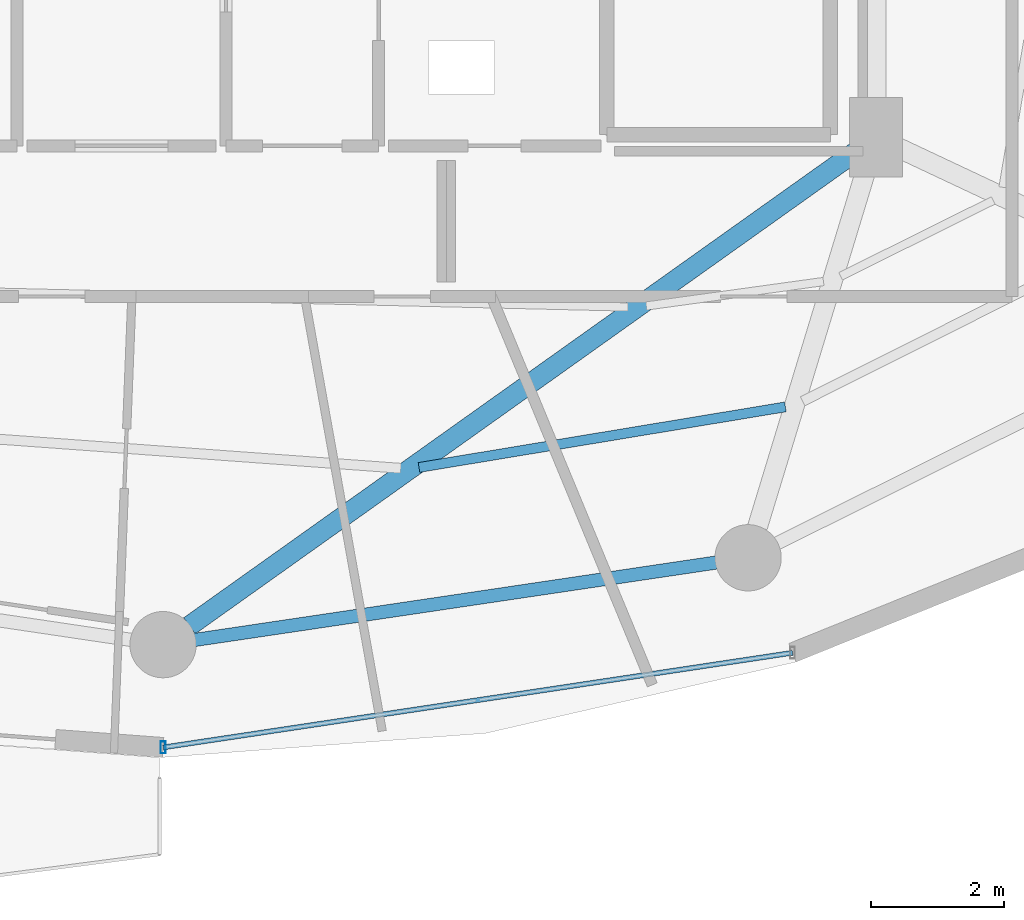
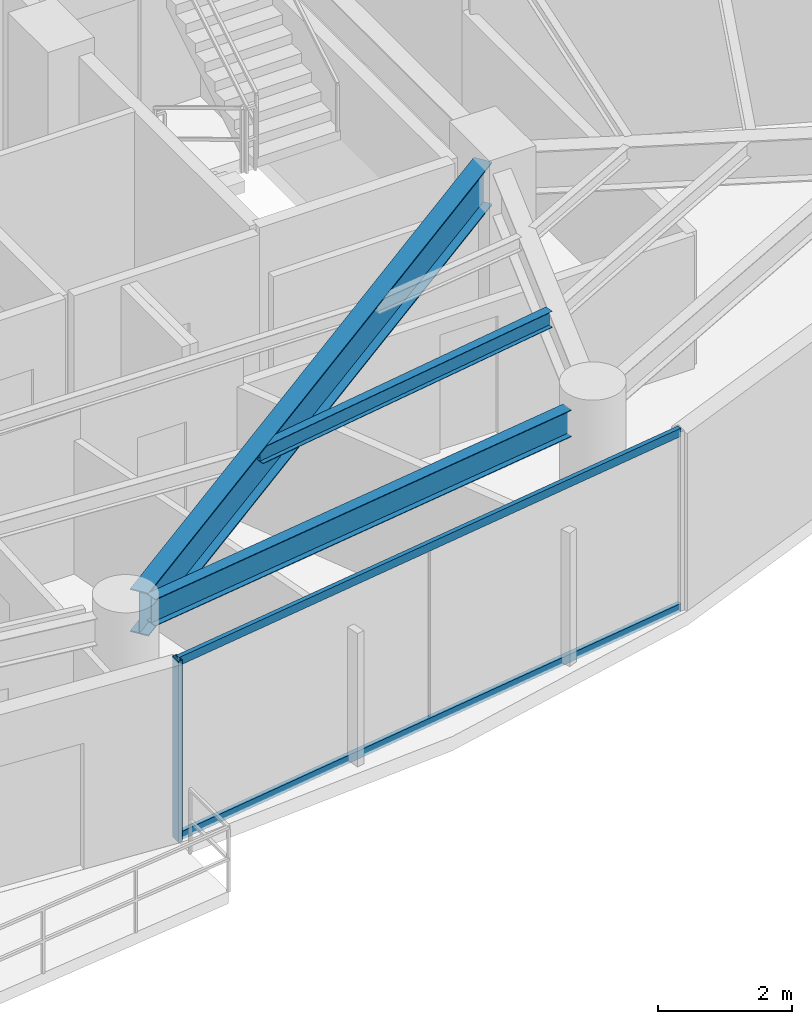
# One storey, part 5 of 28: 3 beams, 3 members, 1 element without a shape of its own.
"""IFC4 building model written with IfcOpenShell, lengths in metres."""

from ifc_helpers import new_model, si_unit, direction, frame, origin, origin_2d, place, context, subcontext, project, spatial, hollow_rectangle, i_section, extrude, material, material_profile, profile_set, type_object, element, aggregate, save


model = new_model("IFC4")

# Units and contexts
model_context = context("Model", 3, precision=1e-05, world=origin(), true_north=direction((0.0, 1.0)))
body_context = subcontext(model_context, "Body", "Model", "MODEL_VIEW")
ifc_project = project(units=[si_unit("LENGTHUNIT", "METRE"), si_unit("AREAUNIT", "SQUARE_METRE"), si_unit("VOLUMEUNIT", "CUBIC_METRE"), si_unit("PLANEANGLEUNIT", "RADIAN"), si_unit("MASSUNIT", "GRAM", prefix="KILO")], contexts=[model_context])

# Site, building, storey
site_placement = place(None, origin())
site = spatial("IfcSite", under=ifc_project, at=site_placement, CompositionType="ELEMENT")
building_placement = place(site_placement, origin())
building = spatial("IfcBuilding", under=site, at=building_placement, Name="Vorneva Point Tower", CompositionType="ELEMENT")
storey_placement = place(building_placement, frame((0.0, 0.0, 139.60009765625)))
storey = spatial("IfcBuildingStorey", under=building, at=storey_placement, Name="L37", CompositionType="ELEMENT", Elevation=139.60009765625)

# Beams
ifc_material_1 = material(Name="Steel S355", Category="steel")
ifc_material_profile_1 = material_profile(ifc_material_1, i_section(OverallWidth=0.300048828125, OverallDepth=0.7880859375, WebThickness=0.014404296875, FlangeThickness=0.02197265625, at=origin_2d()), Name="80Sh1")
ifc_profile_set_1 = profile_set([ifc_material_profile_1], Name="Steel S355")
beam_type_1 = type_object("IfcBeamType", Name="BM-GRD-80Sh1", PredefinedType="USERDEFINED", material=ifc_profile_set_1)
beam_1_placement = place(storey_placement, frame((38.397705078125, 9.0830078125, 2.845947265625), z_axis=(0.814751382529, 0.579810473057, 0.0), x_axis=(-0.579810473057, 0.814751382529, 0.0)))
element("IfcBeam", 1, at=beam_1_placement, inside=storey, type_object=beam_type_1, Name="L37 Radial Primary Girder 13", ObjectType="GIRDER", PredefinedType="USERDEFINED", context=body_context, shape_type="SweptSolid", body=[
    extrude(i_section(OverallWidth=0.300048828125, OverallDepth=0.7880859375, WebThickness=0.014404296875, FlangeThickness=0.02197265625, at=origin_2d()), origin(), (0.0, 0.0, 1.0), 12.365966796875),
])
ifc_material_profile_2 = material_profile(ifc_material_1, i_section(OverallWidth=0.14892578125, OverallDepth=0.298095703125, WebThickness=0.005615234375, FlangeThickness=0.008056640625, at=origin_2d()), Name="30B1")
ifc_profile_set_2 = profile_set([ifc_material_profile_2], Name="Steel S355")
beam_type_2 = type_object("IfcBeamType", Name="BM-JST-30B1", PredefinedType="JOIST", material=ifc_profile_set_2)
beam_2_placement = place(storey_placement, frame((41.858642578125, 11.471435546875, 3.0908203125), z_axis=(0.986611034558, 0.163090976107, 0.0), x_axis=(-0.163090976107, 0.986611034558, 0.0)))
element("IfcBeam", 2, at=beam_2_placement, inside=storey, type_object=beam_type_2, Name="L37 Secondary Floor Beam 1.13", PredefinedType="JOIST", context=body_context, shape_type="SweptSolid", body=[
    extrude(i_section(OverallWidth=0.14892578125, OverallDepth=0.298095703125, WebThickness=0.005615234375, FlangeThickness=0.008056640625, at=origin_2d()), origin(), (0.0, 0.0, 1.0), 5.60009765625),
])
ifc_material_profile_3 = material_profile(ifc_material_1, i_section(OverallWidth=0.199951171875, OverallDepth=0.491943359375, WebThickness=0.0087890625, FlangeThickness=0.011962890625, at=origin_2d()), Name="50B1")
ifc_profile_set_3 = profile_set([ifc_material_profile_3], Name="Steel S355")
beam_type_3 = type_object("IfcBeamType", Name="BM-SPN-50B1", PredefinedType="SPANDREL", material=ifc_profile_set_3)
beam_3_placement = place(storey_placement, frame((38.479736328125, 8.87109375, 2.993896484375), z_axis=(0.989161199046, 0.146833655211, 0.0), x_axis=(-0.146833655211, 0.989161199046, 0.0)))
element("IfcBeam", 3, at=beam_3_placement, inside=storey, type_object=beam_type_3, Name="L37 Perimeter Spandrel Ring Beam 13", PredefinedType="SPANDREL", context=body_context, shape_type="SweptSolid", body=[
    extrude(i_section(OverallWidth=0.199951171875, OverallDepth=0.491943359375, WebThickness=0.0087890625, FlangeThickness=0.011962890625, at=origin_2d()), origin(), (0.0, 0.0, 1.0), 7.94775390625),
])

# Curtain wall, members
ifc_material_2 = material(Name="Pale anodised aluminium", Category="aluminium")
curtain_wall_type = type_object("IfcCurtainWallType", Name="CW-RES-SYS", PredefinedType="NOTDEFINED", material=ifc_material_2)
curtain_wall_placement = place(storey_placement, origin())
curtain_wall = element("IfcCurtainWall", 4, at=curtain_wall_placement, inside=storey, type_object=curtain_wall_type, Name="L37 Unitised Curtain Wall CW-L37-R03", PredefinedType="NOTDEFINED")
ifc_material_profile_4 = material_profile(ifc_material_2, hollow_rectangle(XDim=0.074951171875, YDim=0.179931640625, WallThickness=0.00390625, at=origin_2d()), Name="AL-MUL 180x75x4")
ifc_profile_set_4 = profile_set([ifc_material_profile_4], Name="Pale anodised aluminium")
member_type_1 = type_object("IfcMemberType", Name="CW-MUL-180", PredefinedType="MULLION", material=ifc_profile_set_4)
member_1_placement = place(storey_placement, frame((38.0, 7.25, -0.0400390625), z_axis=(0.0, 0.0, 1.0), x_axis=(1.0, 0.0, 0.0)))
member_1 = element("IfcMember", 5, at=member_1_placement, type_object=member_type_1, Name="CW-L37-R03 Mullion 01", PredefinedType="MULLION", context=body_context, shape_type="SweptSolid", body=[
    extrude(hollow_rectangle(XDim=0.074951171875, YDim=0.179931640625, WallThickness=0.00390625, at=origin_2d()), origin(), (0.0, 0.0, 1.0), 3.31005859375),
])
ifc_material_profile_5 = material_profile(ifc_material_2, hollow_rectangle(XDim=0.074951171875, YDim=0.14990234375, WallThickness=0.00390625, at=origin_2d()), Name="AL-TRN 150x75x4")
ifc_profile_set_5 = profile_set([ifc_material_profile_5], Name="Pale anodised aluminium")
member_type_2 = type_object("IfcMemberType", Name="CW-TRN-150", PredefinedType="USERDEFINED", material=ifc_profile_set_5)
member_2_placement = place(storey_placement, frame((38.0, 7.25, 0.02001953125), z_axis=(0.988880117727, 0.148714870687, 0.0), x_axis=(-0.148714870687, 0.988880117727, 0.0)))
member_2 = element("IfcMember", 6, at=member_2_placement, type_object=member_type_2, Name="CW-L37-R03 Transom 01.1", ObjectType="TRANSOM", PredefinedType="USERDEFINED", context=body_context, shape_type="SweptSolid", body=[
    extrude(hollow_rectangle(XDim=0.074951171875, YDim=0.14990234375, WallThickness=0.00390625, at=origin_2d()), origin(), (0.0, 0.0, 1.0), 9.59716796875),
])
member_3_placement = place(storey_placement, frame((38.0, 7.25, 3.219970703125), z_axis=(0.988880117727, 0.148714870687, 0.0), x_axis=(-0.148714870687, 0.988880117727, 0.0)))
member_3 = element("IfcMember", 7, at=member_3_placement, type_object=member_type_2, Name="CW-L37-R03 Transom 01.2", ObjectType="TRANSOM", PredefinedType="USERDEFINED", context=body_context, shape_type="SweptSolid", body=[
    extrude(hollow_rectangle(XDim=0.074951171875, YDim=0.14990234375, WallThickness=0.00390625, at=origin_2d()), origin(), (0.0, 0.0, 1.0), 9.59716796875),
])
aggregate(curtain_wall, [member_1, member_2, member_3])

save(model, "model.ifc")
